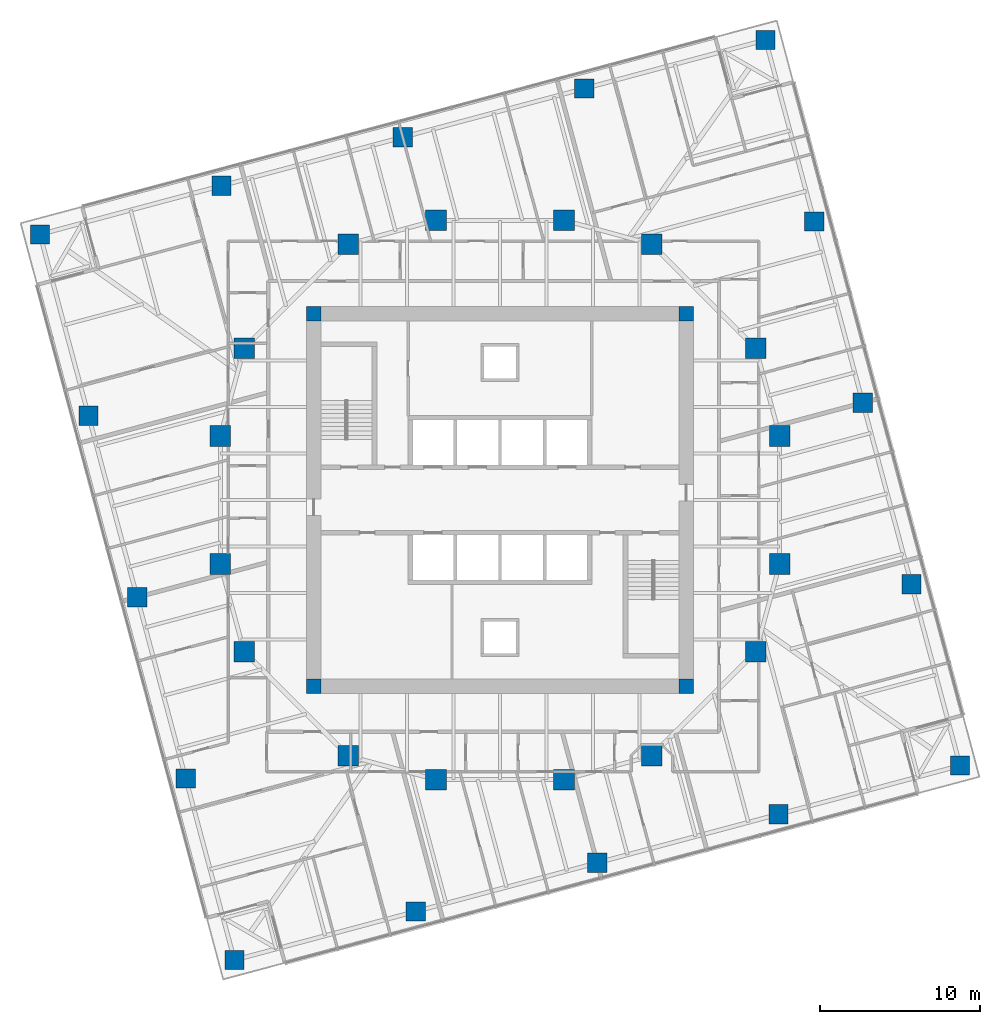
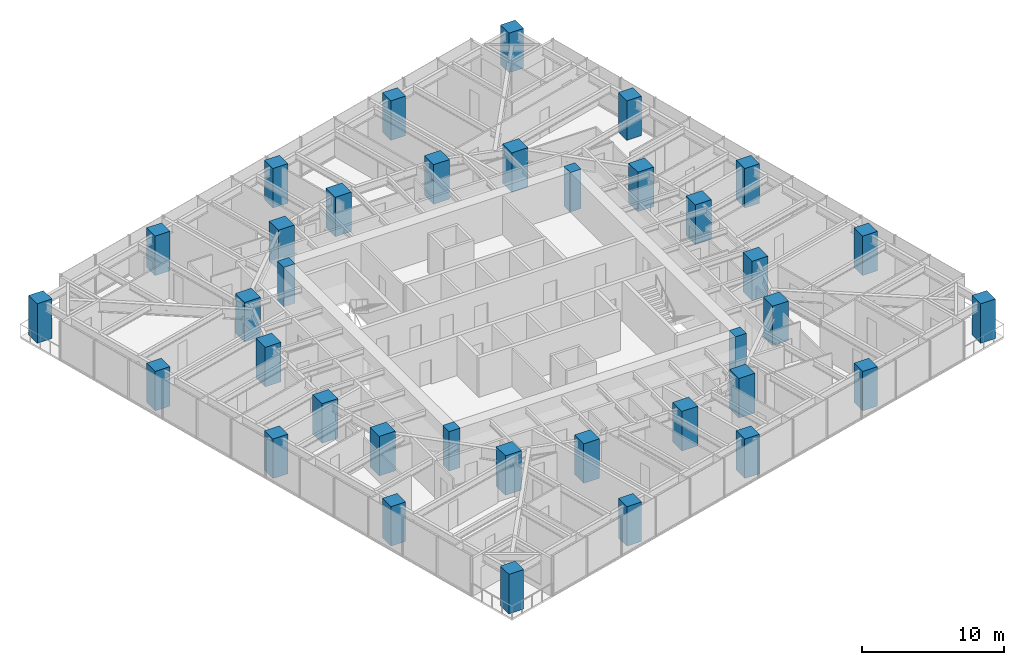
# One storey, part 1 of 14: 36 columns.
"""IFC4 building model written with IfcOpenShell, lengths in metres."""

from ifc_helpers import new_model, si_unit, direction, frame, origin, origin_2d, place, context, subcontext, project, spatial, rectangle, extrude, material, material_profile, profile_set, type_object, element, save


model = new_model("IFC4")

# Units and contexts
model_context = context("Model", 3, precision=1e-05, world=origin(), true_north=direction((0.0, 1.0)))
body_context = subcontext(model_context, "Body", "Model", "MODEL_VIEW")
ifc_project = project(units=[si_unit("LENGTHUNIT", "METRE"), si_unit("AREAUNIT", "SQUARE_METRE"), si_unit("VOLUMEUNIT", "CUBIC_METRE"), si_unit("PLANEANGLEUNIT", "RADIAN"), si_unit("MASSUNIT", "GRAM", prefix="KILO")], contexts=[model_context])

# Site, building, storey
site_placement = place(None, origin())
site = spatial("IfcSite", under=ifc_project, at=site_placement, CompositionType="ELEMENT")
building_placement = place(site_placement, origin())
building = spatial("IfcBuilding", under=site, at=building_placement, Name="Torsade Residences", CompositionType="ELEMENT")
storey_placement = place(building_placement, frame((0.0, 0.0, 121.800048828125)))
storey = spatial("IfcBuildingStorey", under=building, at=storey_placement, Name="L33", CompositionType="ELEMENT", Elevation=121.800048828125)

# Columns
ifc_material_1 = material(Name="Concrete 80 MPa", Category="concrete")
ifc_material_profile_1 = material_profile(ifc_material_1, rectangle(XDim=0.89990234375, YDim=0.89990234375, at=origin_2d()), Name="RC 900x900")
ifc_profile_set_1 = profile_set([ifc_material_profile_1], Name="Concrete 80 MPa")
column_type_1 = type_object("IfcColumnType", Name="CORE CORNER COLUMN RC 900x900", PredefinedType="COLUMN", material=ifc_profile_set_1)
for number, where, z_axis, x_axis, name in (
    (1, (28.35009765625, 18.35009765625, 0.0), (0.0, 0.0, 1.0), (1.0, 0.0, 0.0), "Core corner column CC1 L33"),
    (2, (51.64990234375, 18.35009765625, 0.0), (0.0, 0.0, 1.0), (1.0, 0.0, 0.0), "Core corner column CC2 L33"),
    (3, (51.64990234375, 41.64990234375, 0.0), (0.0, 0.0, 1.0), (1.0, 0.0, 0.0), "Core corner column CC3 L33"),
    (4, (28.35009765625, 41.64990234375, 0.0), (0.0, 0.0, 1.0), (1.0, 0.0, 0.0), "Core corner column CC4 L33"),
):
    element("IfcColumn", number, at=place(storey_placement, frame(where, z_axis=z_axis, x_axis=x_axis)), inside=storey, type_object=column_type_1, Name=name, PredefinedType="COLUMN", context=body_context, shape_type="SweptSolid", body=[
        extrude(rectangle(XDim=0.89990234375, YDim=0.89990234375, at=origin_2d()), origin(), (0.0, 0.0, 1.0), 3.39990234375),
    ])
ifc_material_2 = material(Name="Concrete 80 MPa", Category="concrete")
ifc_material_profile_2 = material_profile(ifc_material_2, rectangle(XDim=1.300048828125, YDim=1.300048828125, at=origin_2d()), Name="RC 1300x1300")
ifc_profile_set_2 = profile_set([ifc_material_profile_2], Name="Concrete 80 MPa")
column_type_2 = type_object("IfcColumnType", Name="INNER RING COLUMN RC 1300x1300", PredefinedType="COLUMN", material=ifc_profile_set_2)
for number, where, z_axis, x_axis, name in (
    (5, (57.5, 26.0, 0.0), (0.0, 0.0, 1.0), (1.0, 0.0, 0.0), "Inner ring column IR01 L33"),
    (6, (57.5, 34.0, 0.0), (0.0, 0.0, 1.0), (1.0, 0.0, 0.0), "Inner ring column IR02 L33"),
    (7, (56.0, 39.5, 0.0), (0.0, 0.0, 1.0), (1.0, 0.0, 0.0), "Inner ring column IR03 L33"),
    (8, (49.5, 46.0, 0.0), (0.0, 0.0, 1.0), (1.0, 0.0, 0.0), "Inner ring column IR04 L33"),
    (9, (44.0, 47.5, 0.0), (0.0, 0.0, 1.0), (1.0, 0.0, 0.0), "Inner ring column IR05 L33"),
    (10, (36.0, 47.5, 0.0), (0.0, 0.0, 1.0), (1.0, 0.0, 0.0), "Inner ring column IR06 L33"),
    (11, (30.5, 46.0, 0.0), (0.0, 0.0, 1.0), (1.0, 0.0, 0.0), "Inner ring column IR07 L33"),
    (12, (24.0, 39.5, 0.0), (0.0, 0.0, 1.0), (1.0, 0.0, 0.0), "Inner ring column IR08 L33"),
    (13, (22.5, 34.0, 0.0), (0.0, 0.0, 1.0), (1.0, 0.0, 0.0), "Inner ring column IR09 L33"),
    (14, (22.5, 26.0, 0.0), (0.0, 0.0, 1.0), (1.0, 0.0, 0.0), "Inner ring column IR10 L33"),
    (15, (24.0, 20.5, 0.0), (0.0, 0.0, 1.0), (1.0, 0.0, 0.0), "Inner ring column IR11 L33"),
    (16, (30.5, 14.0, 0.0), (0.0, 0.0, 1.0), (1.0, 0.0, 0.0), "Inner ring column IR12 L33"),
    (17, (36.0, 12.5, 0.0), (0.0, 0.0, 1.0), (1.0, 0.0, 0.0), "Inner ring column IR13 L33"),
    (18, (44.0, 12.5, 0.0), (0.0, 0.0, 1.0), (1.0, 0.0, 0.0), "Inner ring column IR14 L33"),
    (19, (49.5, 14.0, 0.0), (0.0, 0.0, 1.0), (1.0, 0.0, 0.0), "Inner ring column IR15 L33"),
    (20, (56.0, 20.5, 0.0), (0.0, 0.0, 1.0), (1.0, 0.0, 0.0), "Inner ring column IR16 L33"),
):
    element("IfcColumn", number, at=place(storey_placement, frame(where, z_axis=z_axis, x_axis=x_axis)), inside=storey, type_object=column_type_2, Name=name, PredefinedType="COLUMN", context=body_context, shape_type="SweptSolid", body=[
        extrude(rectangle(XDim=1.300048828125, YDim=1.300048828125, at=origin_2d()), origin(), (0.0, 0.0, 1.0), 3.39990234375),
    ])
ifc_material_3 = material(Name="Concrete 80 MPa", Category="concrete")
ifc_material_profile_3 = material_profile(ifc_material_3, rectangle(XDim=1.199951171875, YDim=1.199951171875, at=origin_2d()), Name="RC 1200x1200")
ifc_profile_set_3 = profile_set([ifc_material_profile_3], Name="Concrete 80 MPa")
column_type_3 = type_object("IfcColumnType", Name="TOWER COLUMN RC 1200x1200", PredefinedType="COLUMN", material=ifc_profile_set_3)
for number, where, z_axis, x_axis, name in (
    (21, (23.383056640625, 1.218505859375, 0.0), (0.0, 0.0, 1.0), (1.0, 0.0, 0.0), "Column TC4-01 L33"),
    (22, (34.732666015625, 4.259521484375, 0.0), (0.0, 0.0, 1.0), (1.0, 0.0, 0.0), "Column TC4-02 L33"),
    (23, (46.082275390625, 7.30078125, 0.0), (0.0, 0.0, 1.0), (1.0, 0.0, 0.0), "Column TC4-03 L33"),
    (24, (57.431884765625, 10.341796875, 0.0), (0.0, 0.0, 1.0), (1.0, 0.0, 0.0), "Column TC4-04 L33"),
    (25, (68.781494140625, 13.383056640625, 0.0), (0.0, 0.0, 1.0), (1.0, 0.0, 0.0), "Column TC4-05 L33"),
    (26, (65.740478515625, 24.732666015625, 0.0), (0.0, 0.0, 1.0), (1.0, 0.0, 0.0), "Column TC4-06 L33"),
    (27, (62.69921875, 36.082275390625, 0.0), (0.0, 0.0, 1.0), (1.0, 0.0, 0.0), "Column TC4-07 L33"),
    (28, (59.658203125, 47.431884765625, 0.0), (0.0, 0.0, 1.0), (1.0, 0.0, 0.0), "Column TC4-08 L33"),
    (29, (56.616943359375, 58.781494140625, 0.0), (0.0, 0.0, 1.0), (1.0, 0.0, 0.0), "Column TC4-09 L33"),
    (30, (45.267333984375, 55.740478515625, 0.0), (0.0, 0.0, 1.0), (1.0, 0.0, 0.0), "Column TC4-10 L33"),
    (31, (33.917724609375, 52.69921875, 0.0), (0.0, 0.0, 1.0), (1.0, 0.0, 0.0), "Column TC4-11 L33"),
    (32, (22.568115234375, 49.658203125, 0.0), (0.0, 0.0, 1.0), (1.0, 0.0, 0.0), "Column TC4-12 L33"),
    (33, (11.218505859375, 46.616943359375, 0.0), (0.0, 0.0, 1.0), (1.0, 0.0, 0.0), "Column TC4-13 L33"),
    (34, (14.259521484375, 35.267333984375, 0.0), (0.0, 0.0, 1.0), (1.0, 0.0, 0.0), "Column TC4-14 L33"),
    (35, (17.30078125, 23.917724609375, 0.0), (0.0, 0.0, 1.0), (1.0, 0.0, 0.0), "Column TC4-15 L33"),
    (36, (20.341796875, 12.568115234375, 0.0), (0.0, 0.0, 1.0), (1.0, 0.0, 0.0), "Column TC4-16 L33"),
):
    element("IfcColumn", number, at=place(storey_placement, frame(where, z_axis=z_axis, x_axis=x_axis)), inside=storey, type_object=column_type_3, Name=name, PredefinedType="COLUMN", context=body_context, shape_type="SweptSolid", body=[
        extrude(rectangle(XDim=1.199951171875, YDim=1.199951171875, at=origin_2d()), origin(), (0.0, 0.0, 1.0), 3.39990234375),
    ])

save(model, "model.ifc")
